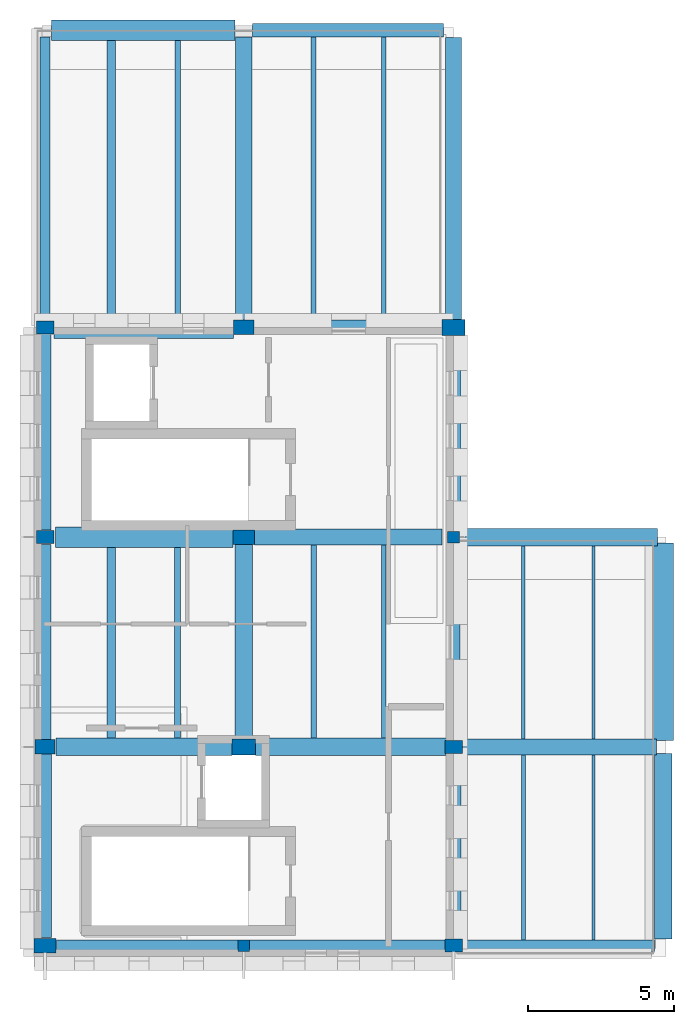
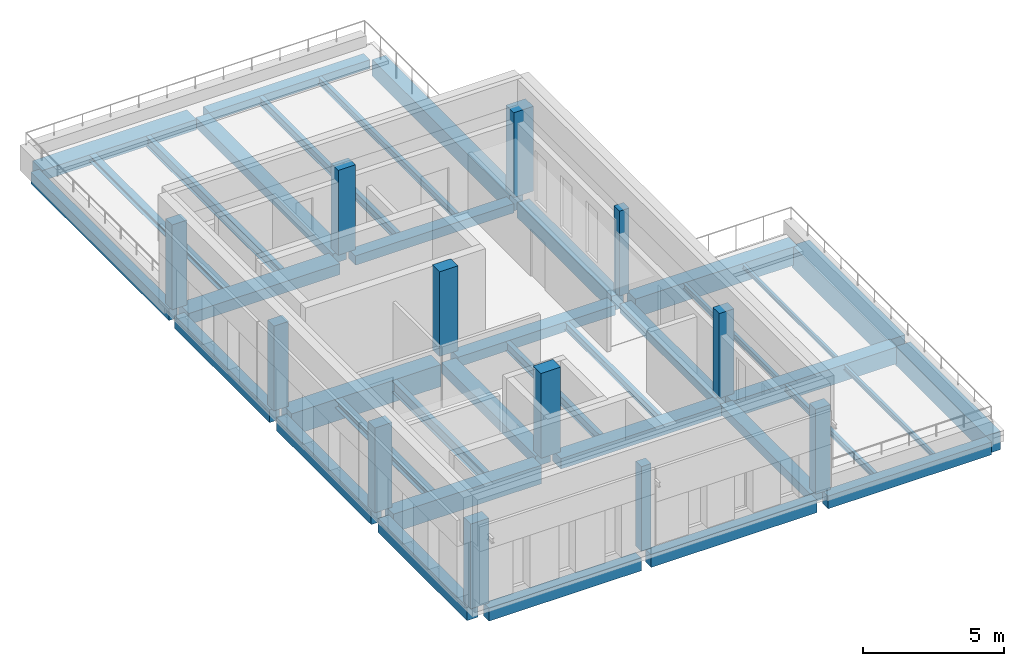
# One storey, part 1 of 6: 37 beams, 12 columns.
"""IFC4 building model written with IfcOpenShell, lengths in metres."""

from ifc_helpers import new_model, si_unit, direction, frame, origin, origin_2d, place, context, subcontext, project, spatial, rectangle, i_section, extrude, material, material_profile, profile_set, type_object, element, save


model = new_model("IFC4")

# Units and contexts
model_context = context("Model", 3, precision=1e-05, world=origin(), true_north=direction((0.0, 1.0)))
body_context = subcontext(model_context, "Body", "Model", "MODEL_VIEW")
ifc_project = project(units=[si_unit("LENGTHUNIT", "METRE"), si_unit("AREAUNIT", "SQUARE_METRE"), si_unit("VOLUMEUNIT", "CUBIC_METRE"), si_unit("PLANEANGLEUNIT", "RADIAN"), si_unit("MASSUNIT", "GRAM", prefix="KILO")], contexts=[model_context])

# Site, building, storey
site_placement = place(None, origin())
site = spatial("IfcSite", under=ifc_project, at=site_placement, CompositionType="ELEMENT")
building_placement = place(site_placement, origin())
building = spatial("IfcBuilding", under=site, at=building_placement, Name="Vardoun Plaza Health Centre", CompositionType="ELEMENT")
storey_placement = place(building_placement, frame((0.0, 0.0, 25.050048828125)))
storey = spatial("IfcBuildingStorey", under=building, at=storey_placement, Name="L06", CompositionType="ELEMENT", Elevation=25.050048828125)

# Columns
ifc_material_1 = material(Name="Concrete C40/50", Category="concrete")
ifc_material_profile_1 = material_profile(ifc_material_1, rectangle(XDim=0.39990234375, YDim=0.39990234375, at=origin_2d()), Name="RC-COL 400x400")
ifc_profile_set_1 = profile_set([ifc_material_profile_1], Name="Concrete C40/50")
column_type_1 = type_object("IfcColumnType", Name="C-08", PredefinedType="COLUMN", material=ifc_profile_set_1)
for number, where, z_axis, x_axis, name in (
    (1, (11.699951171875, 4.8798828125, 0.0), (0.0, 0.0, 1.0), (1.0, 0.0, 0.0), "V2 L06 Column C-V2-05"),
    (2, (18.89990234375, 18.89990234375, 0.0), (0.0, 0.0, 1.0), (1.0, 0.0, 0.0), "V2 L06 Column C-V2-11"),
):
    element("IfcColumn", number, at=place(storey_placement, frame(where, z_axis=z_axis, x_axis=x_axis)), inside=storey, type_object=column_type_1, Name=name, PredefinedType="COLUMN", context=body_context, shape_type="SweptSolid", body=[
        extrude(rectangle(XDim=0.39990234375, YDim=0.39990234375, at=origin_2d()), origin(), (0.0, 0.0, 1.0), 3.659912109375),
    ])
ifc_material_2 = material(Name="Concrete C40/50", Category="concrete")
ifc_material_profile_2 = material_profile(ifc_material_2, rectangle(XDim=0.60009765625, YDim=0.449951171875, at=origin_2d()), Name="RC-COL 600x450")
ifc_profile_set_2 = profile_set([ifc_material_profile_2], Name="Concrete C40/50")
column_type_2 = type_object("IfcColumnType", Name="C-12", PredefinedType="COLUMN", material=ifc_profile_set_2)
for number, where, z_axis, x_axis, name in (
    (3, (4.8798828125, 18.89990234375, 0.0), (0.0, 0.0, 1.0), (1.0, 0.0, 0.0), "V2 L06 Column C-V2-03"),
    (4, (4.8798828125, 26.10009765625, 0.0), (0.0, 0.0, 1.0), (1.0, 0.0, 0.0), "V2 L06 Column C-V2-04"),
    (5, (18.89990234375, 4.8798828125, 0.0), (0.0, 0.0, 1.0), (1.0, 0.0, 0.0), "V2 L06 Column C-V2-09"),
    (6, (18.89990234375, 11.699951171875, 0.0), (0.0, 0.0, 1.0), (1.0, 0.0, 0.0), "V2 L06 Column C-V2-10"),
):
    element("IfcColumn", number, at=place(storey_placement, frame(where, z_axis=z_axis, x_axis=x_axis)), inside=storey, type_object=column_type_2, Name=name, PredefinedType="COLUMN", context=body_context, shape_type="SweptSolid", body=[
        extrude(rectangle(XDim=0.60009765625, YDim=0.449951171875, at=origin_2d()), origin(), (0.0, 0.0, 1.0), 3.659912109375),
    ])
ifc_material_3 = material(Name="Concrete C40/50", Category="concrete")
ifc_material_profile_3 = material_profile(ifc_material_3, rectangle(XDim=0.699951171875, YDim=0.5, at=origin_2d()), Name="RC-COL 700x500")
ifc_profile_set_3 = profile_set([ifc_material_profile_3], Name="Concrete C40/50")
column_type_3 = type_object("IfcColumnType", Name="C-11", PredefinedType="COLUMN", material=ifc_profile_set_3)
for number, where, z_axis, x_axis, name in (
    (7, (4.8798828125, 11.699951171875, 0.0), (0.0, 0.0, 1.0), (1.0, 0.0, 0.0), "V2 L06 Column C-V2-02"),
    (8, (11.699951171875, 26.10009765625, 0.0), (0.0, 0.0, 1.0), (1.0, 0.0, 0.0), "V2 L06 Column C-V2-08"),
):
    element("IfcColumn", number, at=place(storey_placement, frame(where, z_axis=z_axis, x_axis=x_axis)), inside=storey, type_object=column_type_3, Name=name, PredefinedType="COLUMN", context=body_context, shape_type="SweptSolid", body=[
        extrude(rectangle(XDim=0.699951171875, YDim=0.5, at=origin_2d()), origin(), (0.0, 0.0, 1.0), 3.659912109375),
    ])
ifc_material_4 = material(Name="Concrete C40/50", Category="concrete")
ifc_material_profile_4 = material_profile(ifc_material_4, rectangle(XDim=0.75, YDim=0.5, at=origin_2d()), Name="RC-COL 750x500")
ifc_profile_set_4 = profile_set([ifc_material_profile_4], Name="Concrete C40/50")
column_type_4 = type_object("IfcColumnType", Name="C-10", PredefinedType="COLUMN", material=ifc_profile_set_4)
for number, where, z_axis, x_axis, name in (
    (9, (4.8798828125, 4.8798828125, 0.0), (0.0, 0.0, 1.0), (1.0, 0.0, 0.0), "V2 L06 Column C-V2-01"),
    (10, (11.699951171875, 18.89990234375, 0.0), (0.0, 0.0, 1.0), (1.0, 0.0, 0.0), "V2 L06 Column C-V2-07"),
):
    element("IfcColumn", number, at=place(storey_placement, frame(where, z_axis=z_axis, x_axis=x_axis)), inside=storey, type_object=column_type_4, Name=name, PredefinedType="COLUMN", context=body_context, shape_type="SweptSolid", body=[
        extrude(rectangle(XDim=0.75, YDim=0.5, at=origin_2d()), origin(), (0.0, 0.0, 1.0), 3.659912109375),
    ])
ifc_material_5 = material(Name="Concrete C40/50", Category="concrete")
ifc_material_profile_5 = material_profile(ifc_material_5, rectangle(XDim=0.800048828125, YDim=0.550048828125, at=origin_2d()), Name="RC-COL 800x550")
ifc_profile_set_5 = profile_set([ifc_material_profile_5], Name="Concrete C40/50")
column_type_5 = type_object("IfcColumnType", Name="C-09", PredefinedType="COLUMN", material=ifc_profile_set_5)
for number, where, z_axis, x_axis, name in (
    (11, (11.699951171875, 11.699951171875, 0.0), (0.0, 0.0, 1.0), (1.0, 0.0, 0.0), "V2 L06 Column C-V2-06"),
    (12, (18.89990234375, 26.10009765625, 0.0), (0.0, 0.0, 1.0), (1.0, 0.0, 0.0), "V2 L06 Column C-V2-12"),
):
    element("IfcColumn", number, at=place(storey_placement, frame(where, z_axis=z_axis, x_axis=x_axis)), inside=storey, type_object=column_type_5, Name=name, PredefinedType="COLUMN", context=body_context, shape_type="SweptSolid", body=[
        extrude(rectangle(XDim=0.800048828125, YDim=0.550048828125, at=origin_2d()), origin(), (0.0, 0.0, 1.0), 3.659912109375),
    ])

# Beams
ifc_material_6 = material(Name="Concrete C35/45", Category="concrete")
ifc_material_profile_6 = material_profile(ifc_material_6, rectangle(XDim=0.35009765625, YDim=0.5, at=origin_2d()), Name="RC-BM 350x500")
ifc_profile_set_6 = profile_set([ifc_material_profile_6], Name="Concrete C35/45")
beam_type_1 = type_object("IfcBeamType", Name="B-08", PredefinedType="SPANDREL", material=ifc_profile_set_6)
beam_1_placement = place(storey_placement, frame((4.8798828125, 26.324951171875, -0.530029296875), z_axis=(0.0, 1.0, 0.0), x_axis=(-1.0, 0.0, 0.0)))
element("IfcBeam", 13, at=beam_1_placement, inside=storey, type_object=beam_type_1, Name="V2 L06 Beam B-V2-L06-Y17", PredefinedType="SPANDREL", context=body_context, shape_type="SweptSolid", body=[
    extrude(rectangle(XDim=0.35009765625, YDim=0.5, at=origin_2d()), origin(), (0.0, 0.0, 1.0), 9.75),
])
ifc_material_7 = material(Name="Concrete C35/45", Category="concrete")
ifc_material_profile_7 = material_profile(ifc_material_7, rectangle(XDim=0.39990234375, YDim=0.550048828125, at=origin_2d()), Name="RC-BM 400x550")
ifc_profile_set_7 = profile_set([ifc_material_profile_7], Name="Concrete C35/45")
beam_type_2 = type_object("IfcBeamType", Name="B-09", PredefinedType="SPANDREL", material=ifc_profile_set_7)
beam_2_placement = place(storey_placement, frame((5.280029296875, 4.8798828125, -0.554931640625), z_axis=(1.0, 0.0, 0.0), x_axis=(0.0, 1.0, 0.0)))
element("IfcBeam", 14, at=beam_2_placement, inside=storey, type_object=beam_type_2, Name="V2 L06 Beam B-V2-L06-X01", PredefinedType="SPANDREL", context=body_context, shape_type="SweptSolid", body=[
    extrude(rectangle(XDim=0.39990234375, YDim=0.550048828125, at=origin_2d()), origin(), (0.0, 0.0, 1.0), 6.219970703125),
])
beam_3_placement = place(storey_placement, frame((11.89990234375, 4.8798828125, -0.554931640625), z_axis=(1.0, 0.0, 0.0), x_axis=(0.0, 1.0, 0.0)))
element("IfcBeam", 15, at=beam_3_placement, inside=storey, type_object=beam_type_2, Name="V2 L06 Beam B-V2-L06-X06", PredefinedType="SPANDREL", context=body_context, shape_type="SweptSolid", body=[
    extrude(rectangle(XDim=0.39990234375, YDim=0.550048828125, at=origin_2d()), origin(), (0.0, 0.0, 1.0), 6.775146484375),
])
beam_4_placement = place(storey_placement, frame((19.125, 4.8798828125, -0.554931640625), z_axis=(1.0, 0.0, 0.0), x_axis=(0.0, 1.0, 0.0)))
element("IfcBeam", 16, at=beam_4_placement, inside=storey, type_object=beam_type_2, Name="V2 L06 Beam B-V2-L06-X11", PredefinedType="SPANDREL", context=body_context, shape_type="SweptSolid", body=[
    extrude(rectangle(XDim=0.39990234375, YDim=0.550048828125, at=origin_2d()), origin(), (0.0, 0.0, 1.0), 6.675048828125),
])
beam_5_placement = place(storey_placement, frame((4.8798828125, 19.14990234375, -0.554931640625), z_axis=(0.0, 1.0, 0.0), x_axis=(-1.0, 0.0, 0.0)))
element("IfcBeam", 17, at=beam_5_placement, inside=storey, type_object=beam_type_2, Name="V2 L06 Beam B-V2-L06-Y16", PredefinedType="SPANDREL", context=body_context, shape_type="SweptSolid", body=[
    extrude(rectangle(XDim=0.39990234375, YDim=0.550048828125, at=origin_2d()), origin(), (0.0, 0.0, 1.0), 6.72509765625),
])
ifc_material_8 = material(Name="Concrete C35/45", Category="concrete")
ifc_material_profile_8 = material_profile(ifc_material_8, rectangle(XDim=0.419921875, YDim=0.580078125, at=origin_2d()), Name="RC-BM 420x580")
ifc_profile_set_8 = profile_set([ifc_material_profile_8], Name="Concrete C35/45")
beam_type_3 = type_object("IfcBeamType", Name="B-10", PredefinedType="SPANDREL", material=ifc_profile_set_8)
beam_6_placement = place(storey_placement, frame((4.8798828125, 11.949951171875, -0.570068359375), z_axis=(0.0, 1.0, 0.0), x_axis=(-1.0, 0.0, 0.0)))
element("IfcBeam", 18, at=beam_6_placement, inside=storey, type_object=beam_type_3, Name="V2 L06 Beam B-V2-L06-Y15", PredefinedType="SPANDREL", context=body_context, shape_type="SweptSolid", body=[
    extrude(rectangle(XDim=0.419921875, YDim=0.580078125, at=origin_2d()), origin(), (0.0, 0.0, 1.0), 6.699951171875),
])
ifc_material_9 = material(Name="Concrete C35/45", Category="concrete")
ifc_material_profile_9 = material_profile(ifc_material_9, rectangle(XDim=0.449951171875, YDim=0.3798828125, at=origin_2d()), Name="RC-BM 450x380")
ifc_profile_set_9 = profile_set([ifc_material_profile_9], Name="Concrete C35/45")
beam_type_4 = type_object("IfcBeamType", Name="B-01", PredefinedType="BEAM", material=ifc_profile_set_9)
beam_7_placement = place(storey_placement, frame((12.0, 36.300048828125, -0.469970703125), z_axis=(1.0, 0.0, 0.0), x_axis=(0.0, 1.0, 0.0)))
element("IfcBeam", 19, at=beam_7_placement, inside=storey, type_object=beam_type_4, Name="V2 L06 Beam B-V2-L06-X10", PredefinedType="BEAM", context=body_context, shape_type="SweptSolid", body=[
    extrude(rectangle(XDim=0.449951171875, YDim=0.3798828125, at=origin_2d()), origin(), (0.0, 0.0, 1.0), 6.550048828125),
])
beam_8_placement = place(storey_placement, frame((18.89990234375, 11.89990234375, -0.469970703125), z_axis=(0.0, 1.0, 0.0), x_axis=(-1.0, 0.0, 0.0)))
element("IfcBeam", 20, at=beam_8_placement, inside=storey, type_object=beam_type_4, Name="V2 L06 Beam B-V2-L06-Y21", PredefinedType="BEAM", context=body_context, shape_type="SweptSolid", body=[
    extrude(rectangle(XDim=0.449951171875, YDim=0.3798828125, at=origin_2d()), origin(), (0.0, 0.0, 1.0), 6.72509765625),
])
ifc_material_10 = material(Name="Concrete C35/45", Category="concrete")
ifc_material_profile_10 = material_profile(ifc_material_10, rectangle(XDim=0.449951171875, YDim=0.60009765625, at=origin_2d()), Name="RC-BM 450x600")
ifc_profile_set_10 = profile_set([ifc_material_profile_10], Name="Concrete C35/45")
beam_type_5 = type_object("IfcBeamType", Name="B-11", PredefinedType="SPANDREL", material=ifc_profile_set_10)
beam_9_placement = place(storey_placement, frame((4.8798828125, 5.155029296875, -0.580078125), z_axis=(0.0, 1.0, 0.0), x_axis=(-1.0, 0.0, 0.0)))
element("IfcBeam", 21, at=beam_9_placement, inside=storey, type_object=beam_type_5, Name="V2 L06 Beam B-V2-L06-Y14", PredefinedType="SPANDREL", context=body_context, shape_type="SweptSolid", body=[
    extrude(rectangle(XDim=0.449951171875, YDim=0.60009765625, at=origin_2d()), origin(), (0.0, 0.0, 1.0), 6.294921875),
])
ifc_material_11 = material(Name="Concrete C35/45", Category="concrete")
ifc_material_profile_11 = material_profile(ifc_material_11, rectangle(XDim=0.5, YDim=0.39990234375, at=origin_2d()), Name="RC-BM 500x400")
ifc_profile_set_11 = profile_set([ifc_material_profile_11], Name="Concrete C35/45")
beam_type_6 = type_object("IfcBeamType", Name="B-02", PredefinedType="BEAM", material=ifc_profile_set_11)
beam_10_placement = place(storey_placement, frame((12.050048828125, 26.10009765625, -0.47998046875), z_axis=(1.0, 0.0, 0.0), x_axis=(0.0, 1.0, 0.0)))
element("IfcBeam", 22, at=beam_10_placement, inside=storey, type_object=beam_type_6, Name="V2 L06 Beam B-V2-L06-X09", PredefinedType="BEAM", context=body_context, shape_type="SweptSolid", body=[
    extrude(rectangle(XDim=0.5, YDim=0.39990234375, at=origin_2d()), origin(), (0.0, 0.0, 1.0), 6.474853515625),
])
beam_11_placement = place(storey_placement, frame((18.89990234375, 5.10498046875, -0.47998046875), z_axis=(0.0, 1.0, 0.0), x_axis=(-1.0, 0.0, 0.0)))
element("IfcBeam", 23, at=beam_11_placement, inside=storey, type_object=beam_type_6, Name="V2 L06 Beam B-V2-L06-Y20", PredefinedType="BEAM", context=body_context, shape_type="SweptSolid", body=[
    extrude(rectangle(XDim=0.5, YDim=0.39990234375, at=origin_2d()), origin(), (0.0, 0.0, 1.0), 6.39501953125),
])
ifc_material_12 = material(Name="Concrete C40/50", Category="concrete")
ifc_material_profile_12 = material_profile(ifc_material_12, rectangle(XDim=0.5, YDim=0.64990234375, at=origin_2d()), Name="RC-BM 500x650")
ifc_profile_set_12 = profile_set([ifc_material_profile_12], Name="Concrete C40/50")
beam_type_7 = type_object("IfcBeamType", Name="B-13", PredefinedType="BEAM", material=ifc_profile_set_12)
beam_12_placement = place(storey_placement, frame((18.89990234375, 19.175048828125, -0.60498046875), z_axis=(0.0, 1.0, 0.0), x_axis=(-1.0, 0.0, 0.0)))
element("IfcBeam", 24, at=beam_12_placement, inside=storey, type_object=beam_type_7, Name="V2 L06 Beam B-V2-L06-Y22", PredefinedType="BEAM", context=body_context, shape_type="SweptSolid", body=[
    extrude(rectangle(XDim=0.5, YDim=0.64990234375, at=origin_2d()), origin(), (0.0, 0.0, 1.0), 6.675048828125),
])
ifc_material_13 = material(Name="Concrete C35/45", Category="concrete")
ifc_material_profile_13 = material_profile(ifc_material_13, rectangle(XDim=0.550048828125, YDim=0.419921875, at=origin_2d()), Name="RC-BM 550x420")
ifc_profile_set_13 = profile_set([ifc_material_profile_13], Name="Concrete C35/45")
beam_type_8 = type_object("IfcBeamType", Name="B-03", PredefinedType="BEAM", material=ifc_profile_set_13)
beam_13_placement = place(storey_placement, frame((12.074951171875, 18.89990234375, -0.489990234375), z_axis=(1.0, 0.0, 0.0), x_axis=(0.0, 1.0, 0.0)))
element("IfcBeam", 25, at=beam_13_placement, inside=storey, type_object=beam_type_8, Name="V2 L06 Beam B-V2-L06-X08", PredefinedType="BEAM", context=body_context, shape_type="SweptSolid", body=[
    extrude(rectangle(XDim=0.550048828125, YDim=0.419921875, at=origin_2d()), origin(), (0.0, 0.0, 1.0), 6.425048828125),
])
beam_14_placement = place(storey_placement, frame((11.699951171875, 26.35009765625, -0.489990234375), z_axis=(0.0, 1.0, 0.0), x_axis=(-1.0, 0.0, 0.0)))
element("IfcBeam", 26, at=beam_14_placement, inside=storey, type_object=beam_type_8, Name="V2 L06 Beam B-V2-L06-Y19", PredefinedType="BEAM", context=body_context, shape_type="SweptSolid", body=[
    extrude(rectangle(XDim=0.550048828125, YDim=0.419921875, at=origin_2d()), origin(), (0.0, 0.0, 1.0), 9.724853515625),
])
ifc_material_14 = material(Name="Concrete C40/50", Category="concrete")
ifc_material_profile_14 = material_profile(ifc_material_14, rectangle(XDim=0.550048828125, YDim=0.719970703125, at=origin_2d()), Name="RC-BM 550x720")
ifc_profile_set_14 = profile_set([ifc_material_profile_14], Name="Concrete C40/50")
beam_type_9 = type_object("IfcBeamType", Name="B-14", PredefinedType="BEAM", material=ifc_profile_set_14)
beam_15_placement = place(storey_placement, frame((19.10009765625, 11.699951171875, -0.64013671875), z_axis=(1.0, 0.0, 0.0), x_axis=(0.0, 1.0, 0.0)))
element("IfcBeam", 27, at=beam_15_placement, inside=storey, type_object=beam_type_9, Name="V2 L06 Beam B-V2-L06-X12", PredefinedType="BEAM", context=body_context, shape_type="SweptSolid", body=[
    extrude(rectangle(XDim=0.550048828125, YDim=0.719970703125, at=origin_2d()), origin(), (0.0, 0.0, 1.0), 6.77490234375),
])
beam_16_placement = place(storey_placement, frame((18.89990234375, 26.35009765625, -0.64013671875), z_axis=(0.0, 1.0, 0.0), x_axis=(-1.0, 0.0, 0.0)))
element("IfcBeam", 28, at=beam_16_placement, inside=storey, type_object=beam_type_9, Name="V2 L06 Beam B-V2-L06-Y23", PredefinedType="BEAM", context=body_context, shape_type="SweptSolid", body=[
    extrude(rectangle(XDim=0.550048828125, YDim=0.719970703125, at=origin_2d()), origin(), (0.0, 0.0, 1.0), 9.699951171875),
])
ifc_material_15 = material(Name="Concrete C35/45", Category="concrete")
ifc_material_profile_15 = material_profile(ifc_material_15, rectangle(XDim=0.60009765625, YDim=0.449951171875, at=origin_2d()), Name="RC-BM 600x450")
ifc_profile_set_15 = profile_set([ifc_material_profile_15], Name="Concrete C35/45")
beam_type_10 = type_object("IfcBeamType", Name="B-04", PredefinedType="BEAM", material=ifc_profile_set_15)
beam_17_placement = place(storey_placement, frame((12.10009765625, 11.699951171875, -0.505126953125), z_axis=(1.0, 0.0, 0.0), x_axis=(0.0, 1.0, 0.0)))
element("IfcBeam", 29, at=beam_17_placement, inside=storey, type_object=beam_type_10, Name="V2 L06 Beam B-V2-L06-X07", PredefinedType="BEAM", context=body_context, shape_type="SweptSolid", body=[
    extrude(rectangle(XDim=0.60009765625, YDim=0.449951171875, at=origin_2d()), origin(), (0.0, 0.0, 1.0), 6.599853515625),
])
beam_18_placement = place(storey_placement, frame((11.699951171875, 11.97509765625, -0.505126953125), z_axis=(0.0, 1.0, 0.0), x_axis=(-1.0, 0.0, 0.0)))
element("IfcBeam", 30, at=beam_18_placement, inside=storey, type_object=beam_type_10, Name="V2 L06 Beam B-V2-L06-Y18", PredefinedType="BEAM", context=body_context, shape_type="SweptSolid", body=[
    extrude(rectangle(XDim=0.60009765625, YDim=0.449951171875, at=origin_2d()), origin(), (0.0, 0.0, 1.0), 6.6748046875),
])
ifc_material_16 = material(Name="Concrete C40/50", Category="concrete")
ifc_material_profile_16 = material_profile(ifc_material_16, rectangle(XDim=0.60009765625, YDim=0.800048828125, at=origin_2d()), Name="RC-BM 600x800")
ifc_profile_set_16 = profile_set([ifc_material_profile_16], Name="Concrete C40/50")
beam_type_11 = type_object("IfcBeamType", Name="B-15", PredefinedType="JOIST", material=ifc_profile_set_16)
beam_19_placement = place(storey_placement, frame((5.2548828125, 11.699951171875, -0.679931640625), z_axis=(1.0, 0.0, 0.0), x_axis=(0.0, 1.0, 0.0)))
element("IfcBeam", 31, at=beam_19_placement, inside=storey, type_object=beam_type_11, Name="V2 L06 Beam B-V2-L06-X02", PredefinedType="JOIST", context=body_context, shape_type="SweptSolid", body=[
    extrude(rectangle(XDim=0.60009765625, YDim=0.800048828125, at=origin_2d()), origin(), (0.0, 0.0, 1.0), 6.045166015625),
])
beam_20_placement = place(storey_placement, frame((19.300048828125, 18.89990234375, -0.679931640625), z_axis=(1.0, 0.0, 0.0), x_axis=(0.0, 1.0, 0.0)))
element("IfcBeam", 32, at=beam_20_placement, inside=storey, type_object=beam_type_11, Name="V2 L06 Beam B-V2-L06-X13", PredefinedType="JOIST", context=body_context, shape_type="SweptSolid", body=[
    extrude(rectangle(XDim=0.60009765625, YDim=0.800048828125, at=origin_2d()), origin(), (0.0, 0.0, 1.0), 6.599853515625),
])
beam_21_placement = place(storey_placement, frame((26.10009765625, 5.10498046875, -0.679931640625), z_axis=(0.0, 1.0, 0.0), x_axis=(-1.0, 0.0, 0.0)))
element("IfcBeam", 33, at=beam_21_placement, inside=storey, type_object=beam_type_11, Name="V2 L06 Beam B-V2-L06-Y24", PredefinedType="JOIST", context=body_context, shape_type="SweptSolid", body=[
    extrude(rectangle(XDim=0.60009765625, YDim=0.800048828125, at=origin_2d()), origin(), (0.0, 0.0, 1.0), 6.3701171875),
])
ifc_material_17 = material(Name="Concrete C35/45", Category="concrete")
ifc_material_profile_17 = material_profile(ifc_material_17, rectangle(XDim=0.699951171875, YDim=0.449951171875, at=origin_2d()), Name="RC-BM 700x450")
ifc_profile_set_17 = profile_set([ifc_material_profile_17], Name="Concrete C35/45")
beam_type_12 = type_object("IfcBeamType", Name="B-06", PredefinedType="BEAM", material=ifc_profile_set_17)
beam_22_placement = place(storey_placement, frame((5.10498046875, 36.300048828125, -0.505126953125), z_axis=(1.0, 0.0, 0.0), x_axis=(0.0, 1.0, 0.0)))
element("IfcBeam", 34, at=beam_22_placement, inside=storey, type_object=beam_type_12, Name="V2 L06 Beam B-V2-L06-X05", PredefinedType="BEAM", context=body_context, shape_type="SweptSolid", body=[
    extrude(rectangle(XDim=0.699951171875, YDim=0.449951171875, at=origin_2d()), origin(), (0.0, 0.0, 1.0), 6.294921875),
])
ifc_material_18 = material(Name="Concrete C40/50", Category="concrete")
ifc_material_profile_18 = material_profile(ifc_material_18, rectangle(XDim=0.699951171875, YDim=0.949951171875, at=origin_2d()), Name="RC-BM 700x950")
ifc_profile_set_18 = profile_set([ifc_material_profile_18], Name="Concrete C40/50")
beam_type_13 = type_object("IfcBeamType", Name="B-16", PredefinedType="LINTEL", material=ifc_profile_set_18)
beam_23_placement = place(storey_placement, frame((5.22998046875, 18.89990234375, -0.755126953125), z_axis=(1.0, 0.0, 0.0), x_axis=(0.0, 1.0, 0.0)))
element("IfcBeam", 35, at=beam_23_placement, inside=storey, type_object=beam_type_13, Name="V2 L06 Beam B-V2-L06-X03", PredefinedType="LINTEL", context=body_context, shape_type="SweptSolid", body=[
    extrude(rectangle(XDim=0.699951171875, YDim=0.949951171875, at=origin_2d()), origin(), (0.0, 0.0, 1.0), 6.094970703125),
])
beam_24_placement = place(storey_placement, frame((26.10009765625, 11.925048828125, -0.755126953125), z_axis=(0.0, 1.0, 0.0), x_axis=(-1.0, 0.0, 0.0)))
element("IfcBeam", 36, at=beam_24_placement, inside=storey, type_object=beam_type_13, Name="V2 L06 Beam B-V2-L06-Y25", PredefinedType="LINTEL", context=body_context, shape_type="SweptSolid", body=[
    extrude(rectangle(XDim=0.699951171875, YDim=0.949951171875, at=origin_2d()), origin(), (0.0, 0.0, 1.0), 6.77490234375),
])
ifc_material_19 = material(Name="Concrete C35/45", Category="concrete")
ifc_material_profile_19 = material_profile(ifc_material_19, rectangle(XDim=0.75, YDim=0.47998046875, at=origin_2d()), Name="RC-BM 750x480")
ifc_profile_set_19 = profile_set([ifc_material_profile_19], Name="Concrete C35/45")
beam_type_14 = type_object("IfcBeamType", Name="B-07", PredefinedType="BEAM", material=ifc_profile_set_19)
beam_25_placement = place(storey_placement, frame((5.179931640625, 26.10009765625, -0.52001953125), z_axis=(1.0, 0.0, 0.0), x_axis=(0.0, 1.0, 0.0)))
element("IfcBeam", 37, at=beam_25_placement, inside=storey, type_object=beam_type_14, Name="V2 L06 Beam B-V2-L06-X04", PredefinedType="BEAM", context=body_context, shape_type="SweptSolid", body=[
    extrude(rectangle(XDim=0.75, YDim=0.47998046875, at=origin_2d()), origin(), (0.0, 0.0, 1.0), 6.170166015625),
])
ifc_material_20 = material(Name="Steel S355J2", Category="steel")
ifc_material_profile_20 = material_profile(ifc_material_20, i_section(OverallWidth=0.280029296875, OverallDepth=0.280029296875, WebThickness=0.010498046875, FlangeThickness=0.01806640625, FilletRadius=0.02392578125, at=origin_2d()), Name="HEB 280")
ifc_profile_set_20 = profile_set([ifc_material_profile_20], Name="Steel S355J2")
beam_type_15 = type_object("IfcBeamType", Name="SB-02", PredefinedType="BEAM", material=ifc_profile_set_20)
beam_26_placement = place(storey_placement, frame((7.153076171875, 26.47509765625, -0.420166015625), z_axis=(0.0, 1.0, 0.0), x_axis=(-1.0, 0.0, 0.0)))
element("IfcBeam", 38, at=beam_26_placement, inside=storey, type_object=beam_type_15, Name="V2 L06 Secondary Floor Beam SJ-V2-L06-02", PredefinedType="BEAM", context=body_context, shape_type="SweptSolid", body=[
    extrude(i_section(OverallWidth=0.280029296875, OverallDepth=0.280029296875, WebThickness=0.010498046875, FlangeThickness=0.01806640625, FilletRadius=0.02392578125, at=origin_2d()), origin(), (0.0, 0.0, 1.0), 9.474853515625),
])
ifc_material_21 = material(Name="Steel S355J2", Category="steel")
ifc_material_profile_21 = material_profile(ifc_material_21, i_section(OverallWidth=0.300048828125, OverallDepth=0.360107421875, WebThickness=0.012451171875, FlangeThickness=0.0224609375, FilletRadius=0.027099609375, at=origin_2d()), Name="HEB 360")
ifc_profile_set_21 = profile_set([ifc_material_profile_21], Name="Steel S355J2")
beam_type_16 = type_object("IfcBeamType", Name="RB-04", PredefinedType="BEAM", material=ifc_profile_set_21)
beam_27_placement = place(storey_placement, frame((7.153076171875, 12.0, -0.4599609375), z_axis=(0.0, 1.0, 0.0), x_axis=(-1.0, 0.0, 0.0)))
element("IfcBeam", 39, at=beam_27_placement, inside=storey, type_object=beam_type_16, Name="V2 L06 Secondary Floor Beam SJ-V2-L06-01", PredefinedType="BEAM", context=body_context, shape_type="SweptSolid", body=[
    extrude(i_section(OverallWidth=0.300048828125, OverallDepth=0.360107421875, WebThickness=0.012451171875, FlangeThickness=0.0224609375, FilletRadius=0.027099609375, at=origin_2d()), origin(), (0.0, 0.0, 1.0), 6.550048828125),
])
ifc_material_22 = material(Name="Steel S355J2", Category="steel")
ifc_material_profile_22 = material_profile(ifc_material_22, i_section(OverallWidth=0.10009765625, OverallDepth=0.199951171875, WebThickness=0.005615234375, FlangeThickness=0.008544921875, FilletRadius=0.011962890625, at=origin_2d()), Name="IPE 200")
ifc_profile_set_22 = profile_set([ifc_material_profile_22], Name="Steel S355J2")
beam_type_17 = type_object("IfcBeamType", Name="SB-19", PredefinedType="SPANDREL", material=ifc_profile_set_22)
beam_28_placement = place(storey_placement, frame((23.7001953125, 11.97509765625, -0.380126953125), z_axis=(0.0, 1.0, 0.0), x_axis=(-1.0, 0.0, 0.0)))
element("IfcBeam", 40, at=beam_28_placement, inside=storey, type_object=beam_type_17, Name="V2 L06 Secondary Floor Beam SJ-V2-L06-12", PredefinedType="SPANDREL", context=body_context, shape_type="SweptSolid", body=[
    extrude(i_section(OverallWidth=0.10009765625, OverallDepth=0.199951171875, WebThickness=0.005615234375, FlangeThickness=0.008544921875, FilletRadius=0.011962890625, at=origin_2d()), origin(), (0.0, 0.0, 1.0), 6.625),
])
ifc_material_23 = material(Name="Steel S355J2", Category="steel")
ifc_material_profile_23 = material_profile(ifc_material_23, i_section(OverallWidth=0.110107421875, OverallDepth=0.219970703125, WebThickness=0.005859375, FlangeThickness=0.00927734375, FilletRadius=0.011962890625, at=origin_2d()), Name="IPE 220")
ifc_profile_set_23 = profile_set([ifc_material_profile_23], Name="Steel S355J2")
beam_type_18 = type_object("IfcBeamType", Name="SB-18", PredefinedType="JOIST", material=ifc_profile_set_23)
beam_29_placement = place(storey_placement, frame((23.7001953125, 5.080078125, -0.39013671875), z_axis=(0.0, 1.0, 0.0), x_axis=(-1.0, 0.0, 0.0)))
element("IfcBeam", 41, at=beam_29_placement, inside=storey, type_object=beam_type_18, Name="V2 L06 Secondary Floor Beam SJ-V2-L06-11", PredefinedType="JOIST", context=body_context, shape_type="SweptSolid", body=[
    extrude(i_section(OverallWidth=0.110107421875, OverallDepth=0.219970703125, WebThickness=0.005859375, FlangeThickness=0.00927734375, FilletRadius=0.011962890625, at=origin_2d()), origin(), (0.0, 0.0, 1.0), 6.344970703125),
])
ifc_material_24 = material(Name="Steel S355J2", Category="steel")
ifc_material_profile_24 = material_profile(ifc_material_24, i_section(OverallWidth=0.1201171875, OverallDepth=0.239990234375, WebThickness=0.006103515625, FlangeThickness=0.009765625, FilletRadius=0.014892578125, at=origin_2d()), Name="IPE 240")
ifc_profile_set_24 = profile_set([ifc_material_profile_24], Name="Steel S355J2")
beam_type_19 = type_object("IfcBeamType", Name="SB-17", PredefinedType="JOIST", material=ifc_profile_set_24)
beam_30_placement = place(storey_placement, frame((21.2998046875, 11.97509765625, -0.400146484375), z_axis=(0.0, 1.0, 0.0), x_axis=(-1.0, 0.0, 0.0)))
element("IfcBeam", 42, at=beam_30_placement, inside=storey, type_object=beam_type_19, Name="V2 L06 Secondary Floor Beam SJ-V2-L06-10", PredefinedType="JOIST", context=body_context, shape_type="SweptSolid", body=[
    extrude(i_section(OverallWidth=0.1201171875, OverallDepth=0.239990234375, WebThickness=0.006103515625, FlangeThickness=0.009765625, FilletRadius=0.014892578125, at=origin_2d()), origin(), (0.0, 0.0, 1.0), 6.625),
])
ifc_material_25 = material(Name="Steel S355J2", Category="steel")
ifc_material_profile_25 = material_profile(ifc_material_25, i_section(OverallWidth=0.135009765625, OverallDepth=0.27001953125, WebThickness=0.006591796875, FlangeThickness=0.01025390625, FilletRadius=0.014892578125, at=origin_2d()), Name="IPE 270")
ifc_profile_set_25 = profile_set([ifc_material_profile_25], Name="Steel S355J2")
beam_type_20 = type_object("IfcBeamType", Name="SB-16", PredefinedType="JOIST", material=ifc_profile_set_25)
beam_31_placement = place(storey_placement, frame((21.2998046875, 5.080078125, -0.4150390625), z_axis=(0.0, 1.0, 0.0), x_axis=(-1.0, 0.0, 0.0)))
element("IfcBeam", 43, at=beam_31_placement, inside=storey, type_object=beam_type_20, Name="V2 L06 Secondary Floor Beam SJ-V2-L06-09", PredefinedType="JOIST", context=body_context, shape_type="SweptSolid", body=[
    extrude(i_section(OverallWidth=0.135009765625, OverallDepth=0.27001953125, WebThickness=0.006591796875, FlangeThickness=0.01025390625, FilletRadius=0.014892578125, at=origin_2d()), origin(), (0.0, 0.0, 1.0), 6.344970703125),
])
ifc_material_26 = material(Name="Steel S355J2", Category="steel")
ifc_material_profile_26 = material_profile(ifc_material_26, i_section(OverallWidth=0.14990234375, OverallDepth=0.300048828125, WebThickness=0.007080078125, FlangeThickness=0.0107421875, FilletRadius=0.014892578125, at=origin_2d()), Name="IPE 300")
ifc_profile_set_26 = profile_set([ifc_material_profile_26], Name="Steel S355J2")
beam_type_21 = type_object("IfcBeamType", Name="SB-15", PredefinedType="JOIST", material=ifc_profile_set_26)
beam_32_placement = place(storey_placement, frame((16.500244140625, 26.35009765625, -0.429931640625), z_axis=(0.0, 1.0, 0.0), x_axis=(-1.0, 0.0, 0.0)))
element("IfcBeam", 44, at=beam_32_placement, inside=storey, type_object=beam_type_21, Name="V2 L06 Secondary Floor Beam SJ-V2-L06-08", PredefinedType="JOIST", context=body_context, shape_type="SweptSolid", body=[
    extrude(i_section(OverallWidth=0.14990234375, OverallDepth=0.300048828125, WebThickness=0.007080078125, FlangeThickness=0.0107421875, FilletRadius=0.014892578125, at=origin_2d()), origin(), (0.0, 0.0, 1.0), 9.724853515625),
])
ifc_material_27 = material(Name="Steel S355J2", Category="steel")
ifc_material_profile_27 = material_profile(ifc_material_27, i_section(OverallWidth=0.159912109375, OverallDepth=0.330078125, WebThickness=0.007568359375, FlangeThickness=0.011474609375, FilletRadius=0.01806640625, at=origin_2d()), Name="IPE 330")
ifc_profile_set_27 = profile_set([ifc_material_profile_27], Name="Steel S355J2")
beam_type_22 = type_object("IfcBeamType", Name="SB-14", PredefinedType="JOIST", material=ifc_profile_set_27)
beam_33_placement = place(storey_placement, frame((16.500244140625, 12.0, -0.445068359375), z_axis=(0.0, 1.0, 0.0), x_axis=(-1.0, 0.0, 0.0)))
element("IfcBeam", 45, at=beam_33_placement, inside=storey, type_object=beam_type_22, Name="V2 L06 Secondary Floor Beam SJ-V2-L06-07", PredefinedType="JOIST", context=body_context, shape_type="SweptSolid", body=[
    extrude(i_section(OverallWidth=0.159912109375, OverallDepth=0.330078125, WebThickness=0.007568359375, FlangeThickness=0.011474609375, FilletRadius=0.01806640625, at=origin_2d()), origin(), (0.0, 0.0, 1.0), 6.625),
])
ifc_material_28 = material(Name="Steel S355J2", Category="steel")
ifc_material_profile_28 = material_profile(ifc_material_28, i_section(OverallWidth=0.169921875, OverallDepth=0.360107421875, WebThickness=0.008056640625, FlangeThickness=0.0126953125, FilletRadius=0.01806640625, at=origin_2d()), Name="IPE 360")
ifc_profile_set_28 = profile_set([ifc_material_profile_28], Name="Steel S355J2")
beam_type_23 = type_object("IfcBeamType", Name="SB-13", PredefinedType="JOIST", material=ifc_profile_set_28)
beam_34_placement = place(storey_placement, frame((14.099853515625, 26.35009765625, -0.4599609375), z_axis=(0.0, 1.0, 0.0), x_axis=(-1.0, 0.0, 0.0)))
element("IfcBeam", 46, at=beam_34_placement, inside=storey, type_object=beam_type_23, Name="V2 L06 Secondary Floor Beam SJ-V2-L06-06", PredefinedType="JOIST", context=body_context, shape_type="SweptSolid", body=[
    extrude(i_section(OverallWidth=0.169921875, OverallDepth=0.360107421875, WebThickness=0.008056640625, FlangeThickness=0.0126953125, FilletRadius=0.01806640625, at=origin_2d()), origin(), (0.0, 0.0, 1.0), 9.724853515625),
])
ifc_material_29 = material(Name="Steel S355J2", Category="steel")
ifc_material_profile_29 = material_profile(ifc_material_29, i_section(OverallWidth=0.179931640625, OverallDepth=0.39990234375, WebThickness=0.008544921875, FlangeThickness=0.013427734375, FilletRadius=0.02099609375, at=origin_2d()), Name="IPE 400")
ifc_profile_set_29 = profile_set([ifc_material_profile_29], Name="Steel S355J2")
beam_type_24 = type_object("IfcBeamType", Name="SB-12", PredefinedType="BEAM", material=ifc_profile_set_29)
beam_35_placement = place(storey_placement, frame((14.099853515625, 12.0, -0.47998046875), z_axis=(0.0, 1.0, 0.0), x_axis=(-1.0, 0.0, 0.0)))
element("IfcBeam", 47, at=beam_35_placement, inside=storey, type_object=beam_type_24, Name="V2 L06 Secondary Floor Beam SJ-V2-L06-05", PredefinedType="BEAM", context=body_context, shape_type="SweptSolid", body=[
    extrude(i_section(OverallWidth=0.179931640625, OverallDepth=0.39990234375, WebThickness=0.008544921875, FlangeThickness=0.013427734375, FilletRadius=0.02099609375, at=origin_2d()), origin(), (0.0, 0.0, 1.0), 6.625),
])
ifc_material_30 = material(Name="Steel S355J2", Category="steel")
ifc_material_profile_30 = material_profile(ifc_material_30, i_section(OverallWidth=0.18994140625, OverallDepth=0.449951171875, WebThickness=0.009521484375, FlangeThickness=0.0146484375, FilletRadius=0.02099609375, at=origin_2d()), Name="IPE 450")
ifc_profile_set_30 = profile_set([ifc_material_profile_30], Name="Steel S355J2")
beam_type_25 = type_object("IfcBeamType", Name="SB-11", PredefinedType="BEAM", material=ifc_profile_set_30)
beam_36_placement = place(storey_placement, frame((9.427001953125, 26.47509765625, -0.505126953125), z_axis=(0.0, 1.0, 0.0), x_axis=(-1.0, 0.0, 0.0)))
element("IfcBeam", 48, at=beam_36_placement, inside=storey, type_object=beam_type_25, Name="V2 L06 Secondary Floor Beam SJ-V2-L06-04", PredefinedType="BEAM", context=body_context, shape_type="SweptSolid", body=[
    extrude(i_section(OverallWidth=0.18994140625, OverallDepth=0.449951171875, WebThickness=0.009521484375, FlangeThickness=0.0146484375, FilletRadius=0.02099609375, at=origin_2d()), origin(), (0.0, 0.0, 1.0), 9.474853515625),
])
ifc_material_31 = material(Name="Steel S355J2", Category="steel")
ifc_material_profile_31 = material_profile(ifc_material_31, i_section(OverallWidth=0.199951171875, OverallDepth=0.5, WebThickness=0.01025390625, FlangeThickness=0.01611328125, FilletRadius=0.02099609375, at=origin_2d()), Name="IPE 500")
ifc_profile_set_31 = profile_set([ifc_material_profile_31], Name="Steel S355J2")
beam_type_26 = type_object("IfcBeamType", Name="SB-10", PredefinedType="BEAM", material=ifc_profile_set_31)
beam_37_placement = place(storey_placement, frame((9.427001953125, 12.0, -0.530029296875), z_axis=(0.0, 1.0, 0.0), x_axis=(-1.0, 0.0, 0.0)))
element("IfcBeam", 49, at=beam_37_placement, inside=storey, type_object=beam_type_26, Name="V2 L06 Secondary Floor Beam SJ-V2-L06-03", PredefinedType="BEAM", context=body_context, shape_type="SweptSolid", body=[
    extrude(i_section(OverallWidth=0.199951171875, OverallDepth=0.5, WebThickness=0.01025390625, FlangeThickness=0.01611328125, FilletRadius=0.02099609375, at=origin_2d()), origin(), (0.0, 0.0, 1.0), 6.550048828125),
])

save(model, "model.ifc")
